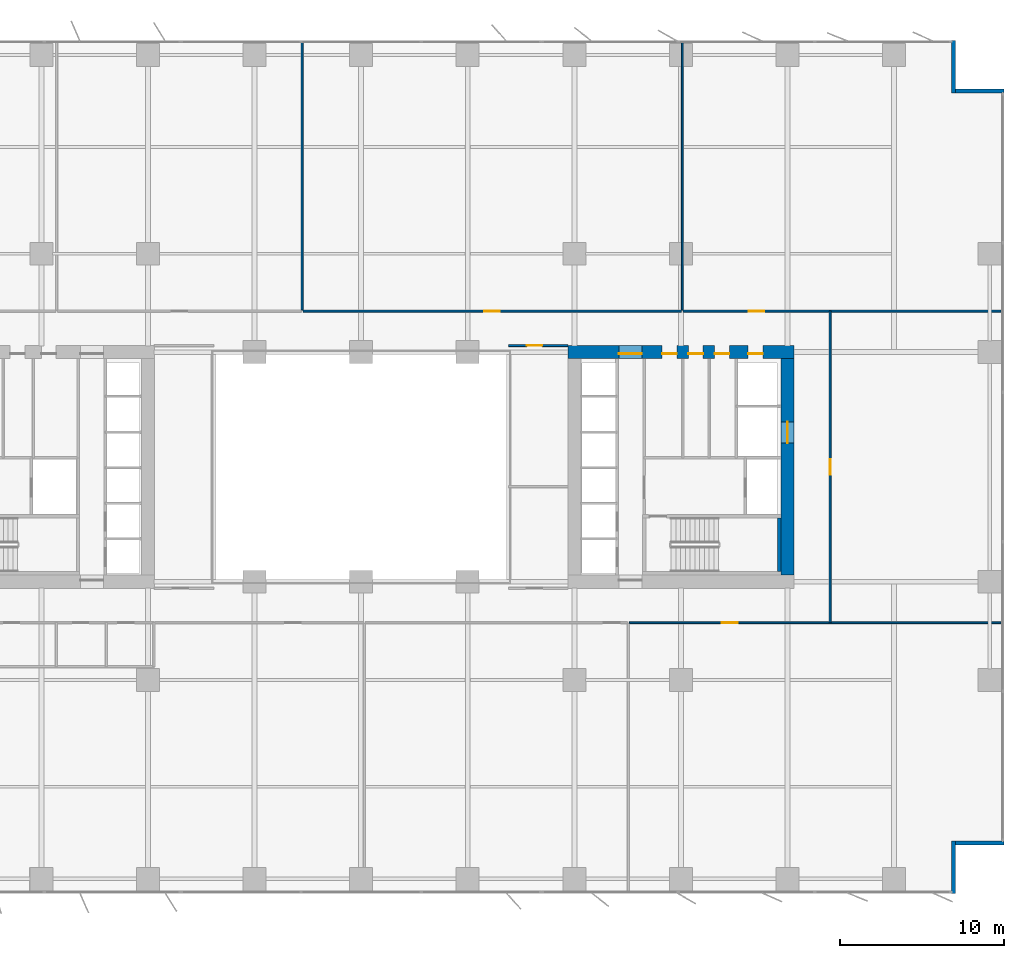
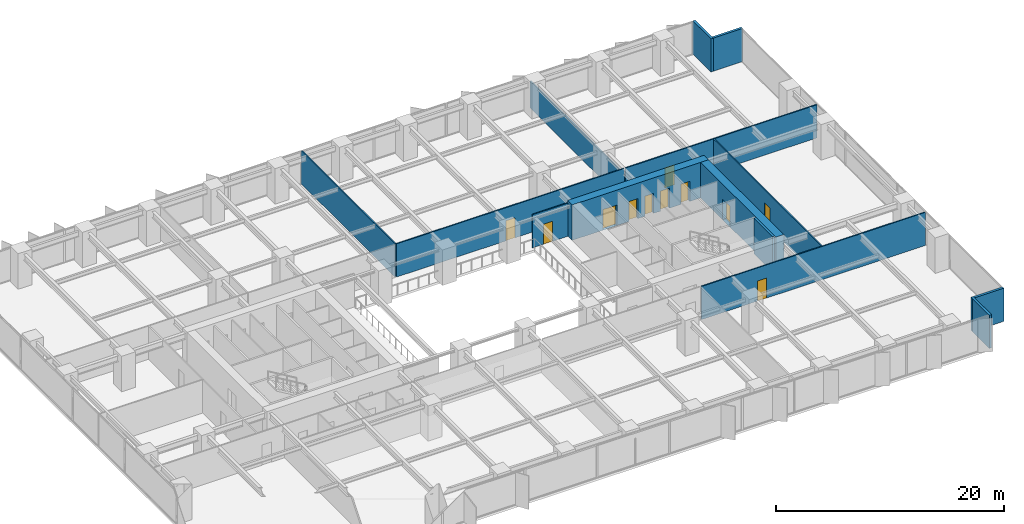
# One storey, part 15 of 21: 14 walls, 11 doors, 11 openings.
"""IFC4 building model written with IfcOpenShell, lengths in metres."""

import ifcopenshell
import ifcopenshell.guid

model = None  # the IFC model being written
_history = None  # IfcOwnerHistory: only IFC2X3 demands one
_inside = {}  # id of a spatial element -> (the spatial element, [elements in it])
_under = {}  # id of a project, library or spatial element -> (it, [spatial elements below it])
_declared = {}  # id of a project -> (the project, [libraries it declares])
_typed = {}  # id of a type object -> (the type object, [elements of that type])
_made_of = {}  # id of a material, layer set ... -> (it, [elements and type objects made of it])


def new_model(schema):
    """Start an empty IFC model of exactly this schema.

    Asked for "IFC4X3", IfcOpenShell would pick the latest addendum, in which some entities
    have other attributes; the version numbers below select the first issue.
    IFC2X3 requires an IfcOwnerHistory on every rooted entity: one is made here for all.
    """
    global model, _history
    if schema == "IFC4X3":
        model = ifcopenshell.file(schema_version=(4, 3, 0, 0))
    else:
        model = ifcopenshell.file(schema=schema)
    _inside.clear()
    _under.clear()
    _declared.clear()
    _typed.clear()
    _made_of.clear()
    _history = None
    if model.schema == "IFC2X3":
        org = make("IfcOrganization", Name="unknown")
        user = make(
            "IfcPersonAndOrganization",
            ThePerson=make("IfcPerson", FamilyName="unknown"),
            TheOrganization=org,
        )
        app = make(
            "IfcApplication",
            ApplicationDeveloper=org,
            Version="unknown",
            ApplicationFullName="unknown",
            ApplicationIdentifier="unknown",
        )
        _history = make(
            "IfcOwnerHistory",
            OwningUser=user,
            OwningApplication=app,
            ChangeAction="ADDED",
            CreationDate=0,
        )
    return model


def make(cls, **values):
    """One entity of the class cls with the attributes given. An attribute that is None is left unset."""
    return model.create_entity(
        cls, **{name: value for name, value in values.items() if value is not None}
    )


def rooted(cls, **values):
    """An entity with a GlobalId (a new one), such as an element, a storey or a relation."""
    return make(cls, GlobalId=ifcopenshell.guid.new(), OwnerHistory=_history, **values)


def si_unit(unit_type, name, prefix=None):
    """IfcSIUnit, for example si_unit("LENGTHUNIT", "METRE", prefix="MILLI")."""
    return make("IfcSIUnit", UnitType=unit_type, Prefix=prefix, Name=name)


def assignment(units):
    """IfcUnitAssignment: the units of a project."""
    return None if units is None else make("IfcUnitAssignment", Units=units)


def point(xyz):
    """IfcCartesianPoint."""
    return None if xyz is None else make("IfcCartesianPoint", Coordinates=xyz)


def direction(xyz):
    """IfcDirection."""
    return None if xyz is None else make("IfcDirection", DirectionRatios=xyz)


def frame(location, z_axis=None, x_axis=None):
    """IfcAxis2Placement3D, a coordinate frame: its origin and axes. An axis left out is left unset."""
    return make(
        "IfcAxis2Placement3D",
        Location=point(location),
        Axis=direction(z_axis),
        RefDirection=direction(x_axis),
    )


def frame_2d(location, x_axis=None):
    """IfcAxis2Placement2D, a coordinate frame in the plane: its origin and x axis."""
    return make(
        "IfcAxis2Placement2D", Location=point(location), RefDirection=direction(x_axis)
    )


def origin():
    """The frame at (0, 0, 0) with its axes left unset."""
    return frame((0.0, 0.0, 0.0))


def place(relative_to, where):
    """IfcLocalPlacement: puts the frame where relative to a parent placement (None: the world)."""
    return make(
        "IfcLocalPlacement", PlacementRelTo=relative_to, RelativePlacement=where
    )


def context(
    kind, dimensions, precision=None, world=None, true_north=None, identifier=None
):
    """IfcGeometricRepresentationContext, for example the 3D "Model" context."""
    return make(
        "IfcGeometricRepresentationContext",
        ContextIdentifier=identifier,
        ContextType=kind,
        CoordinateSpaceDimension=dimensions,
        Precision=precision,
        WorldCoordinateSystem=world,
        TrueNorth=true_north,
    )


def subcontext(parent, identifier, kind, view, scale=None):
    """IfcGeometricRepresentationSubContext, for example "Body" below "Model"."""
    return make(
        "IfcGeometricRepresentationSubContext",
        ContextIdentifier=identifier,
        ContextType=kind,
        ParentContext=parent,
        TargetScale=scale,
        TargetView=view,
    )


def project(units=None, contexts=None):
    """IfcProject with its units and contexts."""
    return rooted(
        "IfcProject",
        Name="project",
        RepresentationContexts=contexts,
        UnitsInContext=assignment(units),
    )


def spatial(cls, under=None, at=None, **own):
    """A site, building, storey or space (cls), placed at a placement, below another one or the project."""
    s = rooted(cls, ObjectPlacement=at, **own)
    if under is not None:
        _under.setdefault(under.id(), (under, []))[1].append(s)
    return s


def profile(cls, at=None, kind="AREA", **sizes):
    """A parametric profile (cls). Its sizes go by their IFC names, for example OverallWidth=200.0."""
    return make(cls, ProfileType=kind, Position=at, **sizes)


def rectangle(**sizes):
    """IfcRectangleProfileDef."""
    return profile("IfcRectangleProfileDef", **sizes)


def extrude(swept, where, along, depth):
    """IfcExtrudedAreaSolid: the profile swept, set in the frame where, extruded along a direction by depth."""
    return make(
        "IfcExtrudedAreaSolid",
        SweptArea=swept,
        Position=where,
        ExtrudedDirection=direction(along),
        Depth=depth,
    )


def shape(context_of_items, identifier, shape_type, items):
    """IfcShapeRepresentation: the items that make up one representation, for example the "Body"."""
    return make(
        "IfcShapeRepresentation",
        ContextOfItems=context_of_items,
        RepresentationIdentifier=identifier,
        RepresentationType=shape_type,
        Items=items,
    )


def material(Name=None, Category=None):
    """IfcMaterial."""
    return make("IfcMaterial", Name=Name, Category=Category)


def layer(
    of_material, thickness, ventilated=None, Name=None, Category=None, Priority=None
):
    """IfcMaterialLayer: one layer of a wall or slab, of a material (None: an air gap)."""
    return make(
        "IfcMaterialLayer",
        Material=of_material,
        LayerThickness=thickness,
        IsVentilated=ventilated,
        Name=Name,
        Category=Category,
        Priority=Priority,
    )


def layer_set(layers, Name=None):
    """IfcMaterialLayerSet."""
    return make("IfcMaterialLayerSet", MaterialLayers=layers, LayerSetName=Name)


def made_of(thing, what):
    """Note that an element or type object is made of a material, layer set ...; save() writes the relation."""
    if what is not None:
        _made_of.setdefault(what.id(), (what, []))[1].append(thing)
    return thing


def type_object(cls, material=None, **own):
    """A type object (cls), such as IfcWallType, which elements share."""
    return made_of(rooted(cls, **own), material)


def element(
    cls,
    number,
    at=None,
    inside=None,
    cuts=None,
    type_object=None,
    material=None,
    context=None,
    identifier="Body",
    shape_type=None,
    held_by="IfcProductDefinitionShape",
    body=None,
    shapes=None,
    **own,
):
    """One element of the class cls, such as IfcWall. Its Tag is "e" and its number.

    at: its placement. inside: the storey or other place that contains it. cuts: it is an
    opening in that element (IfcRelVoidsElement). A single representation is given by context,
    identifier, shape_type and body (its items); several are given by shapes. held_by: the class
    of the entity that holds the representations. save() writes the other relations.
    """
    e = rooted(cls, Tag="e%d" % number, ObjectPlacement=at, **own)
    if body is not None:
        shapes = [shape(context, identifier, shape_type, body)]
    if shapes is not None:
        e.Representation = make(held_by, Representations=shapes)
    if inside is not None:
        _inside.setdefault(inside.id(), (inside, []))[1].append(e)
    if cuts is not None:
        rooted(
            "IfcRelVoidsElement", RelatingBuildingElement=cuts, RelatedOpeningElement=e
        )
    if type_object is not None:
        _typed.setdefault(type_object.id(), (type_object, []))[1].append(e)
    return made_of(e, material)


def fill(opening, filler):
    """IfcRelFillsElement: the door or window that sits in an opening."""
    return rooted(
        "IfcRelFillsElement",
        RelatingOpeningElement=opening,
        RelatedBuildingElement=filler,
    )


def aggregate(whole, parts):
    """IfcRelAggregates: a whole, such as a stair, and the parts it consists of."""
    return rooted("IfcRelAggregates", RelatingObject=whole, RelatedObjects=parts)


def save(model, path):
    """Write the relations noted so far, then the file.

    IfcRelAggregates (storeys below a building ...), IfcRelContainedInSpatialStructure (elements
    in a storey), IfcRelDefinesByType, IfcRelAssociatesMaterial and IfcRelDeclares: one each for
    every whole, place, type object, material and project.
    """
    for whole, parts in _under.values():
        aggregate(whole, parts)
    for where, things in _inside.values():
        rooted(
            "IfcRelContainedInSpatialStructure",
            RelatedElements=things,
            RelatingStructure=where,
        )
    for kind, things in _typed.values():
        rooted("IfcRelDefinesByType", RelatedObjects=things, RelatingType=kind)
    for what, things in _made_of.values():
        rooted("IfcRelAssociatesMaterial", RelatedObjects=things, RelatingMaterial=what)
    for by, libraries in _declared.values():
        rooted("IfcRelDeclares", RelatingContext=by, RelatedDefinitions=libraries)
    model.write(path)


model = new_model("IFC4")

# Units and contexts
model_context = context("Model", 3, precision=1e-05, world=origin(), true_north=direction((0.0, 1.0)))
body_context = subcontext(model_context, "Body", "Model", "MODEL_VIEW")
ifc_project = project(units=[si_unit("LENGTHUNIT", "METRE"), si_unit("AREAUNIT", "SQUARE_METRE"), si_unit("VOLUMEUNIT", "CUBIC_METRE"), si_unit("PLANEANGLEUNIT", "RADIAN"), si_unit("MASSUNIT", "GRAM", prefix="KILO")], contexts=[model_context])

# Site, building, storey
site_placement = place(None, origin())
site = spatial("IfcSite", under=ifc_project, at=site_placement, CompositionType="ELEMENT")
building_placement = place(site_placement, origin())
building = spatial("IfcBuilding", under=site, at=building_placement, Name="Putna Gate Headquarters", CompositionType="ELEMENT")
storey_placement = place(building_placement, frame((0.0, 0.0, 39.199951171875)))
storey = spatial("IfcBuildingStorey", under=building, at=storey_placement, Name="L08", CompositionType="ELEMENT", Elevation=39.199951171875)

# Wall, openings, doors
ifc_material_1 = material(Name="Concrete C60/75", Category="concrete")
ifc_layer_1 = layer(ifc_material_1, 0.800048828125)
ifc_layer_set_1 = layer_set([ifc_layer_1], Name="Concrete C60/75")
wall_type_1 = type_object("IfcWallType", Name="WALL-CORE-800", PredefinedType="SHEAR", material=ifc_layer_set_1)
wall_1_placement = place(storey_placement, frame((51.60009765625, 33.0, 0.0), z_axis=(0.0, 0.0, 1.0), x_axis=(1.0, 0.0, 0.0)))
wall_1 = element("IfcWall", 1, at=wall_1_placement, inside=storey, type_object=wall_type_1, Name="L08 EC Split Core Shear Wall N", PredefinedType="SHEAR", context=body_context, shape_type="SweptSolid", body=[
    extrude(rectangle(XDim=13.7998046875, YDim=0.800048828125, at=frame_2d((6.89990234375, 0.0))), origin(), (0.0, 0.0, 1.0), 3.800048828125),
])
opening_1_placement = place(wall_1_placement, frame((3.1201171875, 0.0, 0.0)))
opening_1 = element("IfcOpeningElement", 2, at=opening_1_placement, cuts=wall_1, Name="Opening FDD-140", PredefinedType="OPENING", context=body_context, shape_type="SweptSolid", body=[
    extrude(rectangle(XDim=1.39990234375, YDim=2.199951171875, at=frame_2d((0.699951171875, 1.10009765625))), frame((0.0, 0.409912109375, 0.0), z_axis=(0.0, -1.0, 0.0), x_axis=(1.0, 0.0, 0.0)), (0.0, 0.0, 1.0), 0.820068359375),
])
opening_2_placement = place(wall_1_placement, frame((11.0, 0.0, 0.0)))
opening_2 = element("IfcOpeningElement", 3, at=opening_2_placement, cuts=wall_1, Name="Opening RD-90", PredefinedType="OPENING", context=body_context, shape_type="SweptSolid", body=[
    extrude(rectangle(XDim=0.89990234375, YDim=2.14990234375, at=frame_2d((0.449951171875, 1.074951171875))), frame((0.0, 0.409912109375, 0.0), z_axis=(0.0, -1.0, 0.0), x_axis=(1.0, 0.0, 0.0)), (0.0, 0.0, 1.0), 0.820068359375),
])
opening_3_placement = place(wall_1_placement, frame((5.75, 0.0, 0.0)))
opening_3 = element("IfcOpeningElement", 4, at=opening_3_placement, cuts=wall_1, Name="Opening IDS-90", PredefinedType="OPENING", context=body_context, shape_type="SweptSolid", body=[
    extrude(rectangle(XDim=0.89990234375, YDim=2.14990234375, at=frame_2d((0.449951171875, 1.074951171875))), frame((0.0, 0.409912109375, 0.0), z_axis=(0.0, -1.0, 0.0), x_axis=(1.0, 0.0, 0.0)), (0.0, 0.0, 1.0), 0.820068359375),
])
opening_4_placement = place(wall_1_placement, frame((7.35009765625, 0.0, 0.0)))
opening_4 = element("IfcOpeningElement", 5, at=opening_4_placement, cuts=wall_1, Name="Opening IDS-90", PredefinedType="OPENING", context=body_context, shape_type="SweptSolid", body=[
    extrude(rectangle(XDim=0.89990234375, YDim=2.14990234375, at=frame_2d((0.449951171875, 1.074951171875))), frame((0.0, 0.409912109375, 0.0), z_axis=(0.0, -1.0, 0.0), x_axis=(1.0, 0.0, 0.0)), (0.0, 0.0, 1.0), 0.820068359375),
])
opening_5_placement = place(wall_1_placement, frame((8.949951171875, 0.0, 0.0)))
opening_5 = element("IfcOpeningElement", 6, at=opening_5_placement, cuts=wall_1, Name="Opening IDS-90", PredefinedType="OPENING", context=body_context, shape_type="SweptSolid", body=[
    extrude(rectangle(XDim=0.89990234375, YDim=2.14990234375, at=frame_2d((0.449951171875, 1.074951171875))), frame((0.0, 0.409912109375, 0.0), z_axis=(0.0, -1.0, 0.0), x_axis=(1.0, 0.0, 0.0)), (0.0, 0.0, 1.0), 0.820068359375),
])
ifc_material_2 = material(Name="Double steel fire door", Category="steel")
door_type_1 = type_object("IfcDoorType", Name="DOOR-FIRE-DBL-1400", OperationType="DOUBLE_DOOR_SINGLE_SWING", PredefinedType="DOOR", material=ifc_material_2)
door_1_placement = place(opening_1_placement, origin())
door_1 = element("IfcDoor", 7, at=door_1_placement, inside=storey, type_object=door_type_1, Name="L08 East Lift Lobby North Door", OperationType="DOUBLE_DOOR_SINGLE_SWING", OverallHeight=2.199951171875, OverallWidth=1.39990234375, PredefinedType="DOOR", context=body_context, shape_type="SweptSolid", body=[
    extrude(rectangle(XDim=1.39990234375, YDim=2.199951171875, at=frame_2d((0.699951171875, 1.10009765625))), frame((0.0, -0.0751953125, 0.0), z_axis=(0.0, -1.0, 0.0), x_axis=(1.0, 0.0, 0.0)), (0.0, 0.0, 1.0), 0.050048828125),
])
fill(opening_1, door_1)
ifc_material_3 = material(Name="Fire-rated utility door")
door_type_2 = type_object("IfcDoorType", Name="DOOR-INT-900", OperationType="NOTDEFINED", PredefinedType="DOOR", material=ifc_material_3)
door_2_placement = place(opening_3_placement, origin())
door_2 = element("IfcDoor", 8, at=door_2_placement, inside=storey, type_object=door_type_2, Name="L08 East Cleaner Store Door", OperationType="SINGLE_SWING_RIGHT", OverallHeight=2.14990234375, OverallWidth=0.89990234375, PredefinedType="DOOR", context=body_context, shape_type="SweptSolid", body=[
    extrude(rectangle(XDim=0.89990234375, YDim=2.14990234375, at=frame_2d((0.449951171875, 1.074951171875))), frame((0.0, -0.0751953125, 0.0), z_axis=(0.0, -1.0, 0.0), x_axis=(1.0, 0.0, 0.0)), (0.0, 0.0, 1.0), 0.050048828125),
])
fill(opening_3, door_2)
door_3_placement = place(opening_4_placement, origin())
door_3 = element("IfcDoor", 9, at=door_3_placement, inside=storey, type_object=door_type_2, Name="L08 BMS Outstation Door", OperationType="SINGLE_SWING_LEFT", OverallHeight=2.14990234375, OverallWidth=0.89990234375, PredefinedType="DOOR", context=body_context, shape_type="SweptSolid", body=[
    extrude(rectangle(XDim=0.89990234375, YDim=2.14990234375, at=frame_2d((0.449951171875, 1.074951171875))), frame((0.0, -0.0751953125, 0.0), z_axis=(0.0, -1.0, 0.0), x_axis=(1.0, 0.0, 0.0)), (0.0, 0.0, 1.0), 0.050048828125),
])
fill(opening_4, door_3)
door_4_placement = place(opening_5_placement, origin())
door_4 = element("IfcDoor", 10, at=door_4_placement, inside=storey, type_object=door_type_2, Name="L08 Facilities Equipment Store Door", OperationType="SINGLE_SWING_RIGHT", OverallHeight=2.14990234375, OverallWidth=0.89990234375, PredefinedType="DOOR", context=body_context, shape_type="SweptSolid", body=[
    extrude(rectangle(XDim=0.89990234375, YDim=2.14990234375, at=frame_2d((0.449951171875, 1.074951171875))), frame((0.0, -0.0751953125, 0.0), z_axis=(0.0, -1.0, 0.0), x_axis=(1.0, 0.0, 0.0)), (0.0, 0.0, 1.0), 0.050048828125),
])
fill(opening_5, door_4)
ifc_material_4 = material(Name="Steel riser access fire door", Category="steel")
door_type_3 = type_object("IfcDoorType", Name="DOOR-RISER-900", OperationType="NOTDEFINED", PredefinedType="DOOR", material=ifc_material_4)
door_5_placement = place(opening_2_placement, origin())
door_5 = element("IfcDoor", 11, at=door_5_placement, inside=storey, type_object=door_type_3, Name="L08 East Riser Access Door", OperationType="SINGLE_SWING_LEFT", OverallHeight=2.14990234375, OverallWidth=0.89990234375, PredefinedType="DOOR", context=body_context, shape_type="SweptSolid", body=[
    extrude(rectangle(XDim=0.89990234375, YDim=2.14990234375, at=frame_2d((0.449951171875, 1.074951171875))), frame((0.0, -0.0751953125, 0.0), z_axis=(0.0, -1.0, 0.0), x_axis=(1.0, 0.0, 0.0)), (0.0, 0.0, 1.0), 0.050048828125),
])
fill(opening_2, door_5)

# Wall, opening, door
wall_2_placement = place(storey_placement, frame((65.0, 19.39990234375, 0.0), z_axis=(0.0, 0.0, 1.0), x_axis=(0.0, 1.0, 0.0)))
wall_2 = element("IfcWall", 12, at=wall_2_placement, inside=storey, type_object=wall_type_1, Name="L08 EC Split Core Shear Wall E", PredefinedType="SHEAR", context=body_context, shape_type="SweptSolid", body=[
    extrude(rectangle(XDim=13.2001953125, YDim=0.800048828125, at=frame_2d((6.60009765625, 0.0))), origin(), (0.0, 0.0, 1.0), 3.800048828125),
])
opening_6_placement = place(wall_2_placement, frame((8.050048828125, 0.0, 0.0)))
opening_6 = element("IfcOpeningElement", 13, at=opening_6_placement, cuts=wall_2, Name="Opening LD-2", PredefinedType="OPENING", context=body_context, shape_type="SweptSolid", body=[
    extrude(rectangle(XDim=1.300048828125, YDim=2.199951171875, at=frame_2d((0.64990234375, 1.10009765625))), frame((0.0, 0.409912109375, 0.0), z_axis=(0.0, -1.0, 0.0), x_axis=(1.0, 0.0, 0.0)), (0.0, 0.0, 1.0), 0.820068359375),
])
ifc_material_5 = material(Name="Heavy-duty goods lift sliding landing door")
door_type_4 = type_object("IfcDoorType", Name="DOOR-LIFT-1300", OperationType="DOUBLE_DOOR_SLIDING", PredefinedType="DOOR", material=ifc_material_5)
door_6_placement = place(opening_6_placement, origin())
door_6 = element("IfcDoor", 14, at=door_6_placement, inside=storey, type_object=door_type_4, Name="L08 Goods Lift Landing Door LD-15", OperationType="DOUBLE_DOOR_SLIDING", OverallHeight=2.199951171875, OverallWidth=1.300048828125, PredefinedType="DOOR", context=body_context, shape_type="SweptSolid", body=[
    extrude(rectangle(XDim=1.300048828125, YDim=2.199951171875, at=frame_2d((0.64990234375, 1.10009765625))), frame((0.0, 0.02490234375, 0.0), z_axis=(0.0, -1.0, 0.0), x_axis=(1.0, 0.0, 0.0)), (0.0, 0.0, 1.0), 0.050048828125),
])
fill(opening_6, door_6)

# Walls
ifc_material_6 = material(Name="Precast concrete C40/50", Category="concrete")
ifc_layer_2 = layer(ifc_material_6, 0.239990234375)
ifc_layer_set_2 = layer_set([ifc_layer_2], Name="Precast concrete C40/50")
wall_type_2 = type_object("IfcWallType", Name="WALL-EXT-TERR-240", PredefinedType="STANDARD", material=ifc_layer_set_2)
for number, where, z_axis, x_axis, name in (
    (15, (75.1201171875, 52.0, 0.0), (0.0, 0.0, 1.0), (0.0, -1.0, 0.0), "L08 Corner Notch Return Wall NE-V"),
    (16, (75.0, 48.919921875, 0.0), (0.0, 0.0, 1.0), (1.0, 0.0, 0.0), "L08 Corner Notch Return Wall NE-H"),
    (17, (75.1201171875, 3.199951171875, 0.0), (0.0, 0.0, 1.0), (0.0, -1.0, 0.0), "L08 Corner Notch Return Wall SE-V"),
    (18, (78.199951171875, 3.080078125, 0.0), (0.0, 0.0, 1.0), (-1.0, 0.0, 0.0), "L08 Corner Notch Return Wall SE-H"),
):
    element("IfcWall", number, at=place(storey_placement, frame(where, z_axis=z_axis, x_axis=x_axis)), inside=storey, type_object=wall_type_2, Name=name, PredefinedType="STANDARD", context=body_context, shape_type="SweptSolid", body=[
        extrude(rectangle(XDim=3.199951171875, YDim=0.239990234375, at=frame_2d((1.60009765625, 0.0))), origin(), (0.0, 0.0, 1.0), 3.550048828125),
    ])

# Wall, opening, door
ifc_material_7 = material(Name="Acoustic gypsum board on metal stud")
ifc_layer_3 = layer(ifc_material_7, 0.1201171875)
ifc_layer_set_3 = layer_set([ifc_layer_3], Name="Acoustic gypsum board on metal stud")
wall_type_3 = type_object("IfcWallType", Name="WALL-PART-120", PredefinedType="PARTITIONING", material=ifc_layer_set_3)
wall_3_placement = place(storey_placement, frame((48.0, 33.39990234375, 0.0), z_axis=(0.0, 0.0, 1.0), x_axis=(1.0, 0.0, 0.0)))
wall_3 = element("IfcWall", 19, at=wall_3_placement, inside=storey, type_object=wall_type_3, Name="L08 Interior Wall PART-L08-ATR-E-N", PredefinedType="PARTITIONING", context=body_context, shape_type="SweptSolid", body=[
    extrude(rectangle(XDim=3.60009765625, YDim=0.1201171875, at=frame_2d((1.800048828125, 0.0))), origin(), (0.0, 0.0, 1.0), 3.550048828125),
])
opening_7_placement = place(wall_3_placement, frame((1.10009765625, 0.0, 0.0)))
opening_7 = element("IfcOpeningElement", 20, at=opening_7_placement, cuts=wall_3, Name="Opening ID-95", PredefinedType="OPENING", context=body_context, shape_type="SweptSolid", body=[
    extrude(rectangle(XDim=0.949951171875, YDim=2.14990234375, at=frame_2d((0.47509765625, 1.074951171875))), frame((0.0, 0.070068359375, 0.0), z_axis=(0.0, -1.0, 0.0), x_axis=(1.0, 0.0, 0.0)), (0.0, 0.0, 1.0), 0.14013671875),
])
ifc_material_8 = material(Name="Veneered acoustic timber door", Category="wood")
door_type_5 = type_object("IfcDoorType", Name="DOOR-OFF-950", OperationType="NOTDEFINED", PredefinedType="DOOR", material=ifc_material_8)
door_7_placement = place(opening_7_placement, origin())
door_7 = element("IfcDoor", 21, at=door_7_placement, inside=storey, type_object=door_type_5, Name="L08 East Atrium North Gallery Door", OperationType="SINGLE_SWING_LEFT", OverallHeight=2.14990234375, OverallWidth=0.949951171875, PredefinedType="DOOR", context=body_context, shape_type="SweptSolid", body=[
    extrude(rectangle(XDim=0.949951171875, YDim=2.14990234375, at=frame_2d((0.47509765625, 1.074951171875))), frame((0.0, 0.02490234375, 0.0), z_axis=(0.0, -1.0, 0.0), x_axis=(1.0, 0.0, 0.0)), (0.0, 0.0, 1.0), 0.050048828125),
])
fill(opening_7, door_7)

# Walls
wall_4_placement = place(storey_placement, frame((35.40234375, 35.56005859375, 0.0), z_axis=(0.0, 0.0, 1.0), x_axis=(0.0, 1.0, 0.0)))
element("IfcWall", 22, at=wall_4_placement, inside=storey, type_object=wall_type_3, Name="L08 Interior Wall PART-L08-NB-DIV-02", PredefinedType="PARTITIONING", context=body_context, shape_type="SweptSolid", body=[
    extrude(rectangle(XDim=16.419921875, YDim=0.1201171875, at=frame_2d((8.2099609375, 0.0))), origin(), (0.0, 0.0, 1.0), 3.550048828125),
])
wall_5_placement = place(storey_placement, frame((58.580078125, 35.56005859375, 0.0), z_axis=(0.0, 0.0, 1.0), x_axis=(0.0, 1.0, 0.0)))
element("IfcWall", 23, at=wall_5_placement, inside=storey, type_object=wall_type_3, Name="L08 Interior Wall PART-L08-NB-DIV-03", PredefinedType="PARTITIONING", context=body_context, shape_type="SweptSolid", body=[
    extrude(rectangle(XDim=16.419921875, YDim=0.1201171875, at=frame_2d((8.2099609375, 0.0))), origin(), (0.0, 0.0, 1.0), 2.900146484375),
])

# Wall, opening, door
ifc_material_9 = material(Name="Fire-rated gypsum board on metal stud")
ifc_layer_4 = layer(ifc_material_9, 0.1201171875)
ifc_layer_set_4 = layer_set([ifc_layer_4], Name="Fire-rated gypsum board on metal stud")
wall_type_4 = type_object("IfcWallType", Name="WALL-PART-120-RATED", PredefinedType="PARTITIONING", material=ifc_layer_set_4)
wall_6_placement = place(storey_placement, frame((35.46240234375, 35.5, 0.0), z_axis=(0.0, 0.0, 1.0), x_axis=(1.0, 0.0, 0.0)))
wall_6 = element("IfcWall", 24, at=wall_6_placement, inside=storey, type_object=wall_type_4, Name="L08 Interior Wall PART-L08-NB-CW-03", PredefinedType="PARTITIONING", context=body_context, shape_type="SweptSolid", body=[
    extrude(rectangle(XDim=23.057861328125, YDim=0.1201171875, at=frame_2d((11.52880859375, 0.0))), origin(), (0.0, 0.0, 1.0), 3.550048828125),
])
opening_8_placement = place(wall_6_placement, frame((11.053955078125, 0.0, 0.0)))
opening_8 = element("IfcOpeningElement", 25, at=opening_8_placement, cuts=wall_6, Name="Opening FD-95", PredefinedType="OPENING", context=body_context, shape_type="SweptSolid", body=[
    extrude(rectangle(XDim=0.949951171875, YDim=2.14990234375, at=frame_2d((0.47509765625, 1.074951171875))), frame((0.0, 0.070068359375, 0.0), z_axis=(0.0, -1.0, 0.0), x_axis=(1.0, 0.0, 0.0)), (0.0, 0.0, 1.0), 0.14013671875),
])
ifc_material_10 = material(Name="Acoustic timber fire door", Category="wood")
door_type_6 = type_object("IfcDoorType", Name="DOOR-FIRE-950", OperationType="NOTDEFINED", PredefinedType="DOOR", material=ifc_material_10)
door_8_placement = place(opening_8_placement, origin())
door_8 = element("IfcDoor", 26, at=door_8_placement, inside=storey, type_object=door_type_6, Name="L08 Cellular Office 2 Door", OperationType="SINGLE_SWING_RIGHT", OverallHeight=2.14990234375, OverallWidth=0.949951171875, PredefinedType="DOOR", context=body_context, shape_type="SweptSolid", body=[
    extrude(rectangle(XDim=0.949951171875, YDim=2.14990234375, at=frame_2d((0.47509765625, 1.074951171875))), frame((0.0, 0.02490234375, 0.0), z_axis=(0.0, -1.0, 0.0), x_axis=(1.0, 0.0, 0.0)), (0.0, 0.0, 1.0), 0.050048828125),
])
fill(opening_8, door_8)

wall_7_placement = place(storey_placement, frame((58.64013671875, 35.5, 0.0), z_axis=(0.0, 0.0, 1.0), x_axis=(1.0, 0.0, 0.0)))
wall_7 = element("IfcWall", 27, at=wall_7_placement, inside=storey, type_object=wall_type_4, Name="L08 Interior Wall PART-L08-NB-CW-04", PredefinedType="PARTITIONING", context=body_context, shape_type="SweptSolid", body=[
    extrude(rectangle(XDim=19.3798828125, YDim=0.1201171875, at=frame_2d((9.68994140625, 0.0))), origin(), (0.0, 0.0, 1.0), 3.550048828125),
])
opening_9_placement = place(wall_7_placement, frame((4.0048828125, 0.0, 0.0)))
opening_9 = element("IfcOpeningElement", 28, at=opening_9_placement, cuts=wall_7, Name="Opening FD-95", PredefinedType="OPENING", context=body_context, shape_type="SweptSolid", body=[
    extrude(rectangle(XDim=0.949951171875, YDim=2.14990234375, at=frame_2d((0.47509765625, 1.074951171875))), frame((0.0, 0.070068359375, 0.0), z_axis=(0.0, -1.0, 0.0), x_axis=(1.0, 0.0, 0.0)), (0.0, 0.0, 1.0), 0.14013671875),
])
door_9_placement = place(opening_9_placement, origin())
door_9 = element("IfcDoor", 29, at=door_9_placement, inside=storey, type_object=door_type_6, Name="L08 Quiet Wellness Focus Studio 1 Door", OperationType="SINGLE_SWING_LEFT", OverallHeight=2.14990234375, OverallWidth=0.949951171875, PredefinedType="DOOR", context=body_context, shape_type="SweptSolid", body=[
    extrude(rectangle(XDim=0.949951171875, YDim=2.14990234375, at=frame_2d((0.47509765625, 1.074951171875))), frame((0.0, 0.02490234375, 0.0), z_axis=(0.0, -1.0, 0.0), x_axis=(1.0, 0.0, 0.0)), (0.0, 0.0, 1.0), 0.050048828125),
])
fill(opening_9, door_9)

wall_8_placement = place(storey_placement, frame((55.356201171875, 16.5, 0.0), z_axis=(0.0, 0.0, 1.0), x_axis=(1.0, 0.0, 0.0)))
wall_8 = element("IfcWall", 30, at=wall_8_placement, inside=storey, type_object=wall_type_4, Name="L08 Interior Wall PART-L08-SB-CW-04", PredefinedType="PARTITIONING", context=body_context, shape_type="SweptSolid", body=[
    extrude(rectangle(XDim=22.663818359375, YDim=0.1201171875, at=frame_2d((11.33203125, 0.0))), origin(), (0.0, 0.0, 1.0), 3.550048828125),
])
opening_10_placement = place(wall_8_placement, frame((5.64697265625, 0.0, 0.0)))
opening_10 = element("IfcOpeningElement", 31, at=opening_10_placement, cuts=wall_8, Name="Opening FD-95", PredefinedType="OPENING", context=body_context, shape_type="SweptSolid", body=[
    extrude(rectangle(XDim=0.949951171875, YDim=2.14990234375, at=frame_2d((0.47509765625, 1.074951171875))), frame((0.0, 0.070068359375, 0.0), z_axis=(0.0, -1.0, 0.0), x_axis=(1.0, 0.0, 0.0)), (0.0, 0.0, 1.0), 0.14013671875),
])
door_10_placement = place(opening_10_placement, origin())
door_10 = element("IfcDoor", 32, at=door_10_placement, inside=storey, type_object=door_type_6, Name="L08 Quiet Wellness Focus Studio 3 Door", OperationType="SINGLE_SWING_LEFT", OverallHeight=2.14990234375, OverallWidth=0.949951171875, PredefinedType="DOOR", context=body_context, shape_type="SweptSolid", body=[
    extrude(rectangle(XDim=0.949951171875, YDim=2.14990234375, at=frame_2d((0.47509765625, 1.074951171875))), frame((0.0, 0.02490234375, 0.0), z_axis=(0.0, -1.0, 0.0), x_axis=(1.0, 0.0, 0.0)), (0.0, 0.0, 1.0), 0.050048828125),
])
fill(opening_10, door_10)

wall_9_placement = place(storey_placement, frame((67.60009765625, 16.5, 0.0), z_axis=(0.0, 0.0, 1.0), x_axis=(0.0, 1.0, 0.0)))
wall_9 = element("IfcWall", 33, at=wall_9_placement, inside=storey, type_object=wall_type_4, Name="L08 Interior Wall PART-L08-EW-CW-1", PredefinedType="PARTITIONING", context=body_context, shape_type="SweptSolid", body=[
    extrude(rectangle(XDim=19.0, YDim=0.1201171875, at=frame_2d((9.5, 0.0))), origin(), (0.0, 0.0, 1.0), 3.550048828125),
])
opening_11_placement = place(wall_9_placement, frame((9.02490234375, 0.0, 0.0)))
opening_11 = element("IfcOpeningElement", 34, at=opening_11_placement, cuts=wall_9, Name="Opening FD-95", PredefinedType="OPENING", context=body_context, shape_type="SweptSolid", body=[
    extrude(rectangle(XDim=0.949951171875, YDim=2.14990234375, at=frame_2d((0.47509765625, 1.074951171875))), frame((0.0, 0.070068359375, 0.0), z_axis=(0.0, -1.0, 0.0), x_axis=(1.0, 0.0, 0.0)), (0.0, 0.0, 1.0), 0.14013671875),
])
door_11_placement = place(opening_11_placement, origin())
door_11 = element("IfcDoor", 35, at=door_11_placement, inside=storey, type_object=door_type_6, Name="L08 East Horizon Conference Room 1 Door", OperationType="SINGLE_SWING_RIGHT", OverallHeight=2.14990234375, OverallWidth=0.949951171875, PredefinedType="DOOR", context=body_context, shape_type="SweptSolid", body=[
    extrude(rectangle(XDim=0.949951171875, YDim=2.14990234375, at=frame_2d((0.47509765625, 1.074951171875))), frame((0.0, 0.02490234375, 0.0), z_axis=(0.0, -1.0, 0.0), x_axis=(1.0, 0.0, 0.0)), (0.0, 0.0, 1.0), 0.050048828125),
])
fill(opening_11, door_11)

# Wall
ifc_material_11 = material(Name="Concrete C40/50", Category="concrete")
ifc_layer_5 = layer(ifc_material_11, 0.199951171875)
ifc_layer_set_5 = layer_set([ifc_layer_5], Name="Concrete C40/50")
wall_type_5 = type_object("IfcWallType", Name="WALL-SHAFT-RC200", PredefinedType="SHEAR", material=ifc_layer_set_5)
wall_10_placement = place(storey_placement, frame((64.489990234375, 19.610107421875, 0.0), z_axis=(0.0, 0.0, 1.0), x_axis=(0.0, 1.0, 0.0)))
element("IfcWall", 36, at=wall_10_placement, inside=storey, type_object=wall_type_5, Name="L08 Stair ST2 Structural Shaft Wall E", PredefinedType="SHEAR", context=body_context, shape_type="SweptSolid", body=[
    extrude(rectangle(XDim=3.27978515625, YDim=0.199951171875, at=frame_2d((1.639892578125, 0.0))), origin(), (0.0, 0.0, 1.0), 3.800048828125),
])

save(model, "model.ifc")
